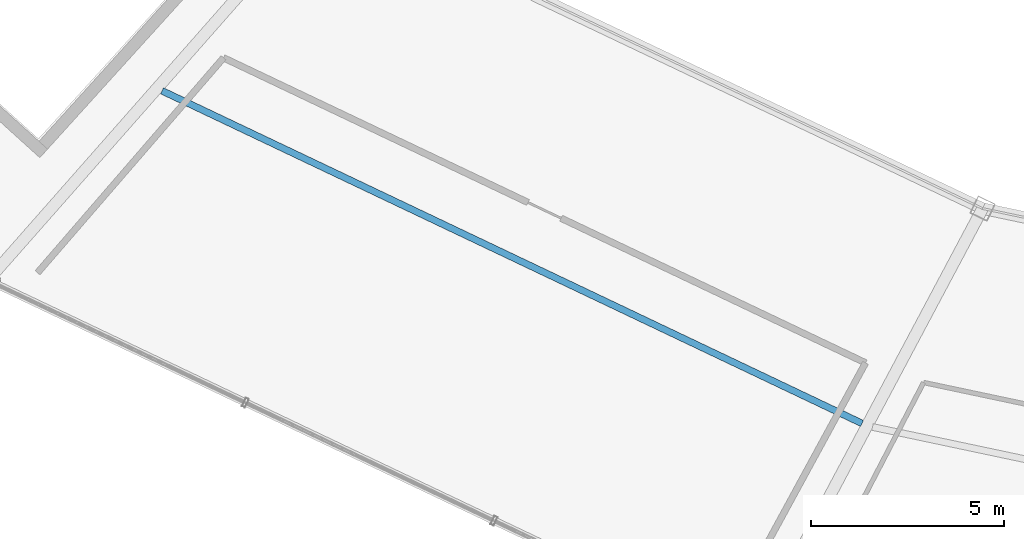
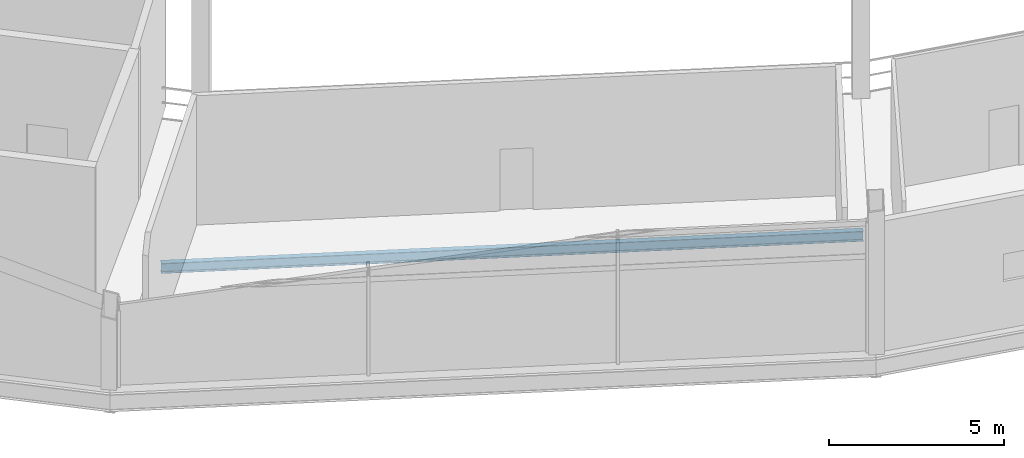
# One storey, part 14 of 103: 1 beam.
"""IFC4 building model written with IfcOpenShell, lengths in metres."""

from ifc_helpers import new_model, si_unit, direction, frame, origin, origin_2d, place, context, subcontext, project, spatial, i_section, extrude, material, material_profile, profile_set, type_object, element, save


model = new_model("IFC4")

# Units and contexts
model_context = context("Model", 3, precision=1e-05, world=origin(), true_north=direction((0.0, 1.0)))
body_context = subcontext(model_context, "Body", "Model", "MODEL_VIEW")
ifc_project = project(units=[si_unit("LENGTHUNIT", "METRE"), si_unit("AREAUNIT", "SQUARE_METRE"), si_unit("VOLUMEUNIT", "CUBIC_METRE"), si_unit("PLANEANGLEUNIT", "RADIAN"), si_unit("MASSUNIT", "GRAM", prefix="KILO")], contexts=[model_context])

# Site, building, storey
site_placement = place(None, origin())
site = spatial("IfcSite", under=ifc_project, at=site_placement, CompositionType="ELEMENT")
building_placement = place(site_placement, origin())
building = spatial("IfcBuilding", under=site, at=building_placement, Name="Kazemori Nagisa Stadium", CompositionType="ELEMENT")
storey_placement = place(building_placement, frame((0.0, 0.0, 25.840087890625)))
storey = spatial("IfcBuildingStorey", under=building, at=storey_placement, Name="L05", CompositionType="ELEMENT", Elevation=25.840087890625)

# Beam
ifc_material = material(Name="Steel SN490B", Category="steel")
ifc_material_profile = material_profile(ifc_material, i_section(OverallWidth=0.175048828125, OverallDepth=0.35009765625, WebThickness=0.007080078125, FlangeThickness=0.010986328125, FilletRadius=0.012939453125, at=origin_2d()), Name="H-350x175x7x11")
ifc_profile_set = profile_set([ifc_material_profile], Name="Steel SN490B")
beam_type = type_object("IfcBeamType", Name="Beam_BJ-H350", PredefinedType="JOIST", material=ifc_profile_set)
beam_placement = place(storey_placement, frame((64.914794921875, 35.85302734375, -0.43505859375), z_axis=(0.90321332486, -0.429191903228, 0.0), x_axis=(0.429191903228, 0.90321332486, 0.0)))
element("IfcBeam", 1, at=beam_placement, inside=storey, type_object=beam_type, Name="Outer bay joist BJ-H350 L05 B19", PredefinedType="JOIST", context=body_context, shape_type="SweptSolid", body=[
    extrude(i_section(OverallWidth=0.175048828125, OverallDepth=0.35009765625, WebThickness=0.007080078125, FlangeThickness=0.010986328125, FilletRadius=0.012939453125, at=origin_2d()), origin(), (0.0, 0.0, 1.0), 20.09033203125),
])

save(model, "model.ifc")
